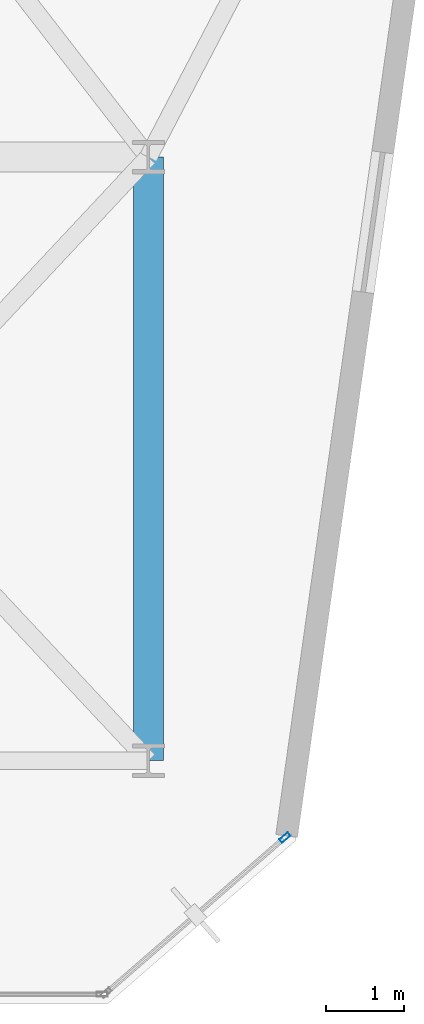
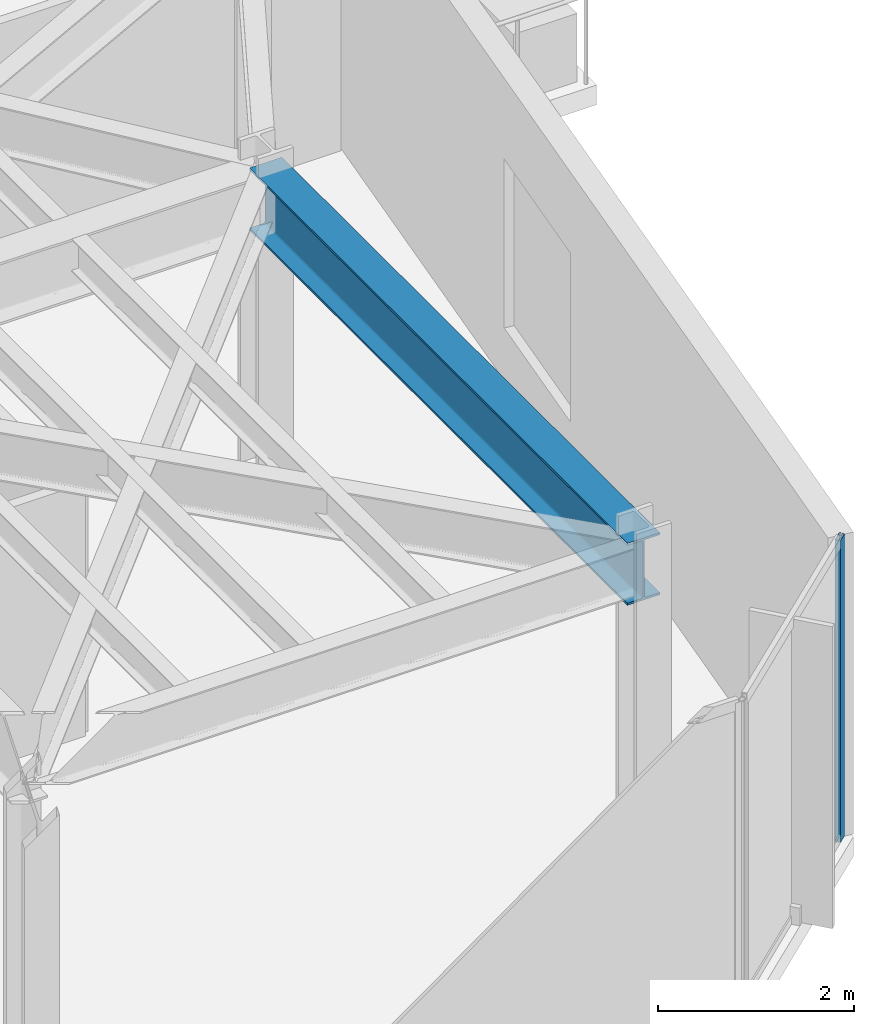
# One storey, part 20 of 26: 1 beam, 1 member, 1 element without a shape of its own.
"""IFC4 building model written with IfcOpenShell, lengths in metres."""

from ifc_helpers import new_model, si_unit, direction, frame, origin, origin_2d, place, context, subcontext, project, spatial, hollow_rectangle, i_section, extrude, material, layer, layer_set, material_profile, profile_set, type_object, element, aggregate, save


model = new_model("IFC4")

# Units and contexts
model_context = context("Model", 3, precision=1e-05, world=origin(), true_north=direction((0.0, 1.0)))
body_context = subcontext(model_context, "Body", "Model", "MODEL_VIEW")
ifc_project = project(units=[si_unit("LENGTHUNIT", "METRE"), si_unit("AREAUNIT", "SQUARE_METRE"), si_unit("VOLUMEUNIT", "CUBIC_METRE"), si_unit("PLANEANGLEUNIT", "RADIAN"), si_unit("MASSUNIT", "GRAM", prefix="KILO")], contexts=[model_context])

# Site, building, storey
site_placement = place(None, origin())
site = spatial("IfcSite", under=ifc_project, at=site_placement, CompositionType="ELEMENT")
building_placement = place(site_placement, origin())
building = spatial("IfcBuilding", under=site, at=building_placement, Name="Kravanh Interchange Tower", CompositionType="ELEMENT")
storey_placement = place(building_placement, frame((0.0, 0.0, 180.5)))
storey = spatial("IfcBuildingStorey", under=building, at=storey_placement, Name="L43", CompositionType="ELEMENT", Elevation=180.5)

# Curtain wall, member
ifc_material_1 = material(Name="Anodised Bronze Aluminium", Category="aluminium")
ifc_layer = layer(ifc_material_1, 0.179931640625)
ifc_layer_set = layer_set([ifc_layer], Name="Unitised Curtain Wall System CW-Z3 Upper Office")
curtain_wall_type = type_object("IfcCurtainWallType", Name="Unitised Curtain Wall System CW-Z3 Upper Office", PredefinedType="NOTDEFINED", material=ifc_layer_set)
curtain_wall_placement = place(storey_placement, origin())
curtain_wall = element("IfcCurtainWall", 1, at=curtain_wall_placement, inside=storey, type_object=curtain_wall_type, Name="L43 Unitised Curtain Wall CW-L43-02", PredefinedType="NOTDEFINED")
ifc_material_2 = material(Name="Anodised Bronze Aluminium", Category="aluminium")
ifc_material_profile_1 = material_profile(ifc_material_2, hollow_rectangle(XDim=0.06005859375, YDim=0.139892578125, WallThickness=0.00390625, at=origin_2d()), Name="ALU60X140X4")
ifc_profile_set_1 = profile_set([ifc_material_profile_1], Name="Anodised Bronze Aluminium")
member_type = type_object("IfcMemberType", Name="Curtain Wall Mullion ALU60X140X4 Bronze", PredefinedType="MULLION", material=ifc_profile_set_1)
member_placement = place(storey_placement, frame((64.94287109375, 13.52099609375, 0.0), z_axis=(0.0, 0.0, 1.0), x_axis=(0.65605090137, -0.754716645379, 0.0)))
member = element("IfcMember", 2, at=member_placement, type_object=member_type, Name="CW-Z3 mullion 1", PredefinedType="MULLION", context=body_context, shape_type="SweptSolid", body=[
    extrude(hollow_rectangle(XDim=0.06005859375, YDim=0.139892578125, WallThickness=0.00390625, at=origin_2d()), origin(), (0.0, 0.0, 1.0), 3.7548828125),
])
aggregate(curtain_wall, [member])

# Beam
ifc_material_3 = material(Name="Structural Steel S355", Category="steel")
ifc_material_profile_2 = material_profile(ifc_material_3, i_section(OverallWidth=0.381103515625, OverallDepth=0.77294921875, WebThickness=0.0166015625, FlangeThickness=0.027099609375, FilletRadius=0.02490234375, at=origin_2d()), Name="W30X173")
ifc_profile_set_2 = profile_set([ifc_material_profile_2], Name="Structural Steel S355")
beam_type = type_object("IfcBeamType", Name="Floor Beam W30X173 Structural Steel S355", PredefinedType="BEAM", material=ifc_profile_set_2)
beam_placement = place(storey_placement, frame((63.199951171875, 14.5, 3.368408203125), z_axis=(0.0, 1.0, 0.0), x_axis=(-1.0, 0.0, 0.0)))
element("IfcBeam", 3, at=beam_placement, inside=storey, type_object=beam_type, Name="L43 Primary Floor Girder 89", PredefinedType="BEAM", context=body_context, shape_type="SweptSolid", body=[
    extrude(i_section(OverallWidth=0.381103515625, OverallDepth=0.77294921875, WebThickness=0.0166015625, FlangeThickness=0.027099609375, FilletRadius=0.02490234375, at=origin_2d()), origin(), (0.0, 0.0, 1.0), 7.699951171875),
])

save(model, "model.ifc")
